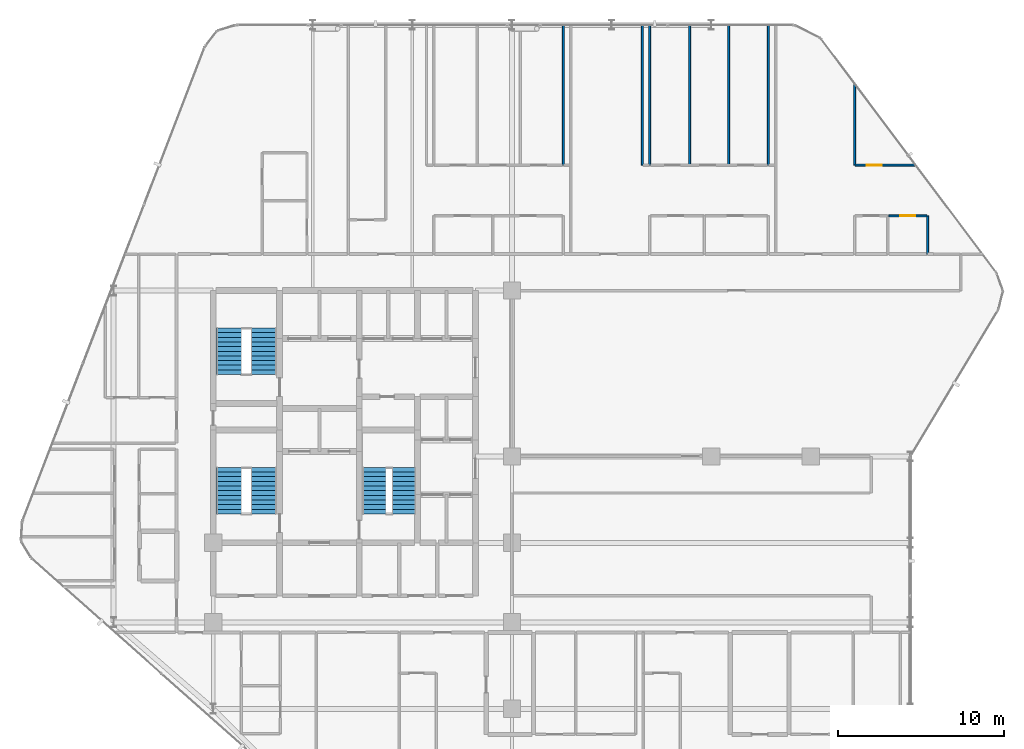
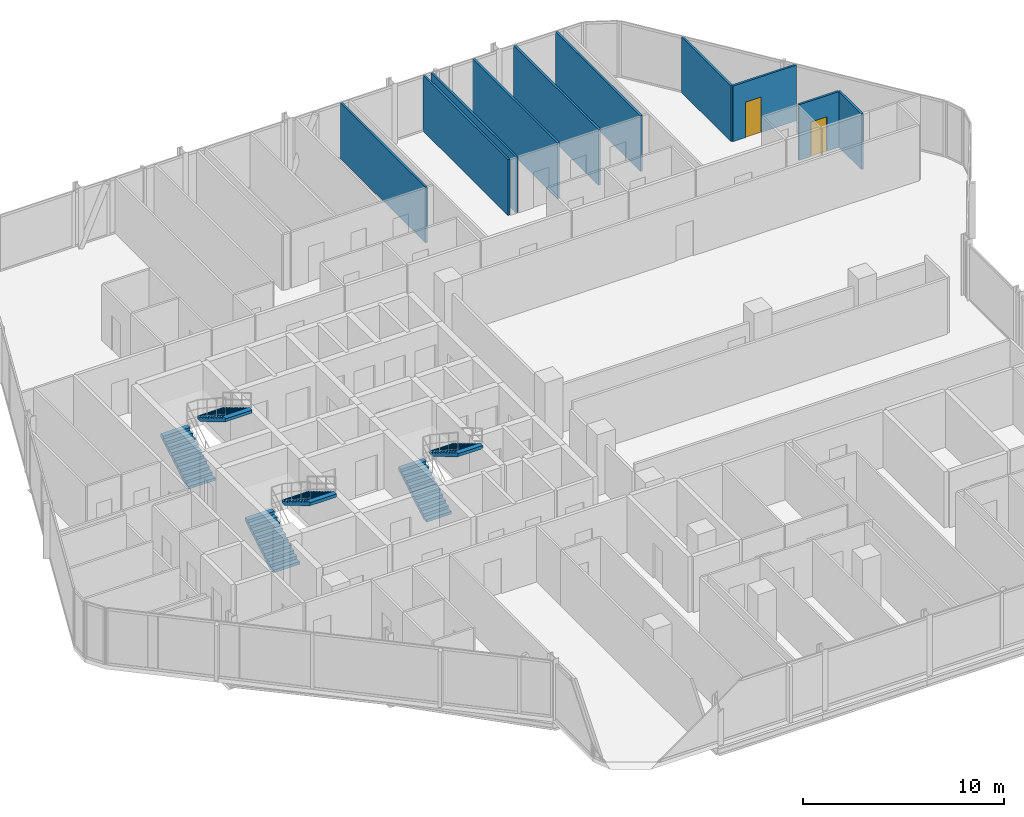
# One storey, part 29 of 30: 10 walls, 6 stair flights, 2 doors, 2 openings, 3 elements without a shape of their own.
"""IFC4 building model written with IfcOpenShell, lengths in metres."""

from ifc_helpers import new_model, si_unit, direction, frame, frame_2d, origin, place, context, subcontext, project, spatial, polyline, rectangle, outline, extrude, material, layer, layer_set, type_object, element, fill, aggregate, save


model = new_model("IFC4")

# Units and contexts
model_context = context("Model", 3, precision=1e-05, world=origin(), true_north=direction((0.0, 1.0)))
body_context = subcontext(model_context, "Body", "Model", "MODEL_VIEW")
ifc_project = project(units=[si_unit("LENGTHUNIT", "METRE"), si_unit("AREAUNIT", "SQUARE_METRE"), si_unit("VOLUMEUNIT", "CUBIC_METRE"), si_unit("PLANEANGLEUNIT", "RADIAN"), si_unit("MASSUNIT", "GRAM", prefix="KILO")], contexts=[model_context])

# Site, building, storey
site_placement = place(None, origin())
site = spatial("IfcSite", under=ifc_project, at=site_placement, CompositionType="ELEMENT")
building_placement = place(site_placement, origin())
building = spatial("IfcBuilding", under=site, at=building_placement, Name="Keshet Zoharim Tower", CompositionType="ELEMENT")
storey_placement = place(building_placement, frame((0.0, 0.0, 109.39990234375)))
storey = spatial("IfcBuildingStorey", under=building, at=storey_placement, Name="L26", CompositionType="ELEMENT", Elevation=109.39990234375)

# Walls
ifc_material_1 = material(Name="Gypsum Plasterboard", Category="gypsum")
ifc_layer_1 = layer(ifc_material_1, 0.1201171875)
ifc_layer_set_1 = layer_set([ifc_layer_1], Name="Gypsum Plasterboard")
wall_type_1 = type_object("IfcWallType", Name="WL-PART-120", PredefinedType="PARTITIONING", material=ifc_layer_set_1)
for number, where, z_axis, x_axis, name in (
    (1, (36.10009765625, 45.449951171875, 0.0), (0.0, 0.0, 1.0), (0.0, 1.0, 0.0), "L26 Interior Wall 077"),
    (2, (40.85009765625, 45.449951171875, 0.0), (0.0, 0.0, 1.0), (0.0, 1.0, 0.0), "L26 Interior Wall 083"),
    (3, (41.300048828125, 45.449951171875, 0.0), (0.0, 0.0, 1.0), (0.0, 1.0, 0.0), "L26 Interior Wall 088"),
    (4, (43.699951171875, 45.449951171875, 0.0), (0.0, 0.0, 1.0), (0.0, 1.0, 0.0), "L26 Interior Wall 090"),
    (5, (46.050048828125, 45.449951171875, 0.0), (0.0, 0.0, 1.0), (0.0, 1.0, 0.0), "L26 Interior Wall 093"),
    (6, (48.449951171875, 45.449951171875, 0.0), (0.0, 0.0, 1.0), (0.0, 1.0, 0.0), "L26 Interior Wall 097"),
):
    element("IfcWall", number, at=place(storey_placement, frame(where, z_axis=z_axis, x_axis=x_axis)), inside=storey, type_object=wall_type_1, Name=name, PredefinedType="PARTITIONING", context=body_context, shape_type="SweptSolid", body=[
        extrude(rectangle(XDim=8.43994140625, YDim=0.1201171875, at=frame_2d((4.219970703125, 0.0))), origin(), (0.0, 0.0, 1.0), 3.385009765625),
    ])
wall_1_placement = place(storey_placement, frame((53.64990234375, 45.449951171875, 0.0), z_axis=(0.0, 0.0, 1.0), x_axis=(0.0, 1.0, 0.0)))
element("IfcWall", 7, at=wall_1_placement, inside=storey, type_object=wall_type_1, Name="L26 Interior Wall 104", PredefinedType="PARTITIONING", context=body_context, shape_type="SweptSolid", body=[
    extrude(rectangle(XDim=4.906982421875, YDim=0.1201171875, at=frame_2d((2.45361328125, 0.0))), origin(), (0.0, 0.0, 1.0), 3.385009765625),
])

# Wall, opening, door
wall_2_placement = place(storey_placement, frame((53.675048828125, 45.449951171875, 0.0), z_axis=(0.0, 0.0, 1.0), x_axis=(1.0, 0.0, 0.0)))
wall_2 = element("IfcWall", 8, at=wall_2_placement, inside=storey, type_object=wall_type_1, Name="L26 Interior Wall 211", PredefinedType="PARTITIONING", context=body_context, shape_type="SweptSolid", body=[
    extrude(rectangle(XDim=3.65283203125, YDim=0.1201171875, at=frame_2d((1.826416015625, 0.0))), origin(), (0.0, 0.0, 1.0), 3.385009765625),
])
opening_1_placement = place(wall_2_placement, frame((0.715087890625, 0.0, 0.0)))
opening_1 = element("IfcOpeningElement", 9, at=opening_1_placement, cuts=wall_2, Name="Opening D-IN90", PredefinedType="OPENING", context=body_context, shape_type="SweptSolid", body=[
    extrude(rectangle(XDim=0.89990234375, YDim=2.14990234375, at=frame_2d((0.449951171875, 1.074951171875))), frame((0.0, 0.070068359375, 0.0), z_axis=(0.0, -1.0, 0.0), x_axis=(1.0, 0.0, 0.0)), (0.0, 0.0, 1.0), 0.14013671875),
])
ifc_material_2 = material(Name="Hardwood Timber", Category="wood")
door_type_1 = type_object("IfcDoorType", Name="DR-INT-090", OperationType="NOTDEFINED", PredefinedType="DOOR", material=ifc_material_2)
door_1_placement = place(opening_1_placement, origin())
door_1 = element("IfcDoor", 10, at=door_1_placement, inside=storey, type_object=door_type_1, Name="Apartment 2607 Bedroom 1 Door", OperationType="SINGLE_SWING_RIGHT", OverallHeight=2.14990234375, OverallWidth=0.89990234375, PredefinedType="DOOR", context=body_context, shape_type="SweptSolid", body=[
    extrude(rectangle(XDim=0.89990234375, YDim=2.14990234375, at=frame_2d((0.449951171875, 1.074951171875))), frame((0.0, 0.02490234375, 0.0), z_axis=(0.0, -1.0, 0.0), x_axis=(1.0, 0.0, 0.0)), (0.0, 0.0, 1.0), 0.050048828125),
])
fill(opening_1, door_1)

# Wall
ifc_layer_2 = layer(ifc_material_1, 0.1201171875)
ifc_layer_set_2 = layer_set([ifc_layer_2], Name="Gypsum Plasterboard")
wall_type_2 = type_object("IfcWallType", Name="WL-WET-120", PredefinedType="PARTITIONING", material=ifc_layer_set_2)
wall_3_placement = place(storey_placement, frame((58.050048828125, 40.10009765625, 0.0), z_axis=(0.0, 0.0, 1.0), x_axis=(0.0, 1.0, 0.0)))
element("IfcWall", 11, at=wall_3_placement, inside=storey, type_object=wall_type_2, Name="L26 Interior Wall 110", PredefinedType="PARTITIONING", context=body_context, shape_type="SweptSolid", body=[
    extrude(rectangle(XDim=2.2998046875, YDim=0.1201171875, at=frame_2d((1.14990234375, 0.0))), origin(), (0.0, 0.0, 1.0), 3.385009765625),
])

# Wall, opening, door
wall_4_placement = place(storey_placement, frame((55.702880859375, 42.39990234375, 0.0), z_axis=(0.0, 0.0, 1.0), x_axis=(1.0, 0.0, 0.0)))
wall_4 = element("IfcWall", 12, at=wall_4_placement, inside=storey, type_object=wall_type_2, Name="L26 Interior Wall 203", PredefinedType="PARTITIONING", context=body_context, shape_type="SweptSolid", body=[
    extrude(rectangle(XDim=2.2900390625, YDim=0.1201171875, at=frame_2d((1.14501953125, 0.0))), origin(), (0.0, 0.0, 1.0), 3.385009765625),
])
opening_2_placement = place(wall_4_placement, frame((0.695068359375, 0.0, 0.0)))
opening_2 = element("IfcOpeningElement", 13, at=opening_2_placement, cuts=wall_4, Name="Opening D-WT90", PredefinedType="OPENING", context=body_context, shape_type="SweptSolid", body=[
    extrude(rectangle(XDim=0.89990234375, YDim=2.10009765625, at=frame_2d((0.449951171875, 1.050048828125))), frame((0.0, 0.070068359375, 0.0), z_axis=(0.0, -1.0, 0.0), x_axis=(1.0, 0.0, 0.0)), (0.0, 0.0, 1.0), 0.14013671875),
])
door_type_2 = type_object("IfcDoorType", Name="DR-WET-090", OperationType="NOTDEFINED", PredefinedType="DOOR", material=ifc_material_2)
door_2_placement = place(opening_2_placement, origin())
door_2 = element("IfcDoor", 14, at=door_2_placement, inside=storey, type_object=door_type_2, Name="Apartment 2607 Bathroom Door", OperationType="SINGLE_SWING_LEFT", OverallHeight=2.10009765625, OverallWidth=0.89990234375, PredefinedType="DOOR", context=body_context, shape_type="SweptSolid", body=[
    extrude(rectangle(XDim=0.89990234375, YDim=2.10009765625, at=frame_2d((0.449951171875, 1.050048828125))), frame((0.0, 0.02490234375, 0.0), z_axis=(0.0, -1.0, 0.0), x_axis=(1.0, 0.0, 0.0)), (0.0, 0.0, 1.0), 0.050048828125),
])
fill(opening_2, door_2)

# Stair, stair flights
ifc_material_3 = material(Name="Concrete C50/60", Category="concrete")
stair_type = type_object("IfcStairType", Name="STR-EXIT-135", PredefinedType="HALF_TURN_STAIR", material=ifc_material_3)
stair_1_placement = place(storey_placement, origin())
stair_1 = element("IfcStair", 15, at=stair_1_placement, inside=storey, type_object=stair_type, Name="L26 Enclosed Exit Stair ST-01", PredefinedType="HALF_TURN_STAIR")
stair_flight_type_1 = type_object("IfcStairFlightType", Name="FLT-PRE-135", PredefinedType="STRAIGHT", material=ifc_material_3)
stair_flight_1_placement = place(storey_placement, frame((15.945068359375, 24.43994140625, 0.0), z_axis=(0.0, 0.0, 1.0), x_axis=(0.0, 1.0, 0.0)))
stair_flight_1 = element("IfcStairFlight", 16, at=stair_flight_1_placement, type_object=stair_flight_type_1, Name="ST-01 flight 1", NumberOfRisers=11, NumberOfTreads=10, PredefinedType="STRAIGHT", RiserHeight=0.168182, TreadLength=0.28, context=body_context, shape_type="SweptSolid", body=[
    extrude(outline(polyline([(0.0, 0.0), (0.0, 0.168212890625), (0.280029296875, 0.168212890625), (0.280029296875, 0.33642578125), (0.56005859375, 0.33642578125), (0.56005859375, 0.504638671875), (0.840087890625, 0.504638671875), (0.840087890625, 0.672607421875), (1.1201171875, 0.672607421875), (1.1201171875, 0.8408203125), (1.39990234375, 0.8408203125), (1.39990234375, 1.009033203125), (1.679931640625, 1.009033203125), (1.679931640625, 1.17724609375), (1.9599609375, 1.17724609375), (1.9599609375, 1.345458984375), (2.239990234375, 1.345458984375), (2.239990234375, 1.513671875), (2.52001953125, 1.513671875), (2.52001953125, 1.681884765625), (2.800048828125, 1.681884765625), (2.800048828125, 1.85009765625), (2.800048828125, 1.495361328125), (0.310546875, 0.0), (0.0, 0.0)])), frame((0.0, 0.76513671875, 0.0), z_axis=(0.0, -1.0, 0.0), x_axis=(1.0, 0.0, 0.0)), (0.0, 0.0, 1.0), 1.530029296875),
])
stair_flight_2_placement = place(storey_placement, frame((18.054931640625, 27.239990234375, 1.85009765625), z_axis=(0.0, 0.0, 1.0), x_axis=(0.0, -1.0, 0.0)))
stair_flight_2 = element("IfcStairFlight", 17, at=stair_flight_2_placement, type_object=stair_flight_type_1, Name="ST-01 flight 2", NumberOfRisers=11, NumberOfTreads=10, PredefinedType="STRAIGHT", RiserHeight=0.168182, TreadLength=0.28, context=body_context, shape_type="SweptSolid", body=[
    extrude(outline(polyline([(0.0, 0.0), (0.0, 0.168212890625), (0.280029296875, 0.168212890625), (0.280029296875, 0.33642578125), (0.56005859375, 0.33642578125), (0.56005859375, 0.504638671875), (0.840087890625, 0.504638671875), (0.840087890625, 0.672607421875), (1.1201171875, 0.672607421875), (1.1201171875, 0.8408203125), (1.39990234375, 0.8408203125), (1.39990234375, 1.009033203125), (1.679931640625, 1.009033203125), (1.679931640625, 1.17724609375), (1.9599609375, 1.17724609375), (1.9599609375, 1.345458984375), (2.239990234375, 1.345458984375), (2.239990234375, 1.513671875), (2.52001953125, 1.513671875), (2.52001953125, 1.681884765625), (2.800048828125, 1.681884765625), (2.800048828125, 1.85009765625), (2.800048828125, 1.495361328125), (0.310546875, 0.0), (0.0, 0.0)])), frame((0.0, 0.76513671875, 0.0), z_axis=(0.0, -1.0, 0.0), x_axis=(1.0, 0.0, 0.0)), (0.0, 0.0, 1.0), 1.530029296875),
])
aggregate(stair_1, [stair_flight_1, stair_flight_2])

stair_2_placement = place(storey_placement, origin())
stair_2 = element("IfcStair", 18, at=stair_2_placement, inside=storey, type_object=stair_type, Name="L26 Enclosed Exit Stair ST-02", PredefinedType="HALF_TURN_STAIR")
stair_flight_3_placement = place(storey_placement, frame((15.945068359375, 32.840087890625, 0.0), z_axis=(0.0, 0.0, 1.0), x_axis=(0.0, 1.0, 0.0)))
stair_flight_3 = element("IfcStairFlight", 19, at=stair_flight_3_placement, type_object=stair_flight_type_1, Name="ST-02 flight 1", NumberOfRisers=11, NumberOfTreads=10, PredefinedType="STRAIGHT", RiserHeight=0.168182, TreadLength=0.28, context=body_context, shape_type="SweptSolid", body=[
    extrude(outline(polyline([(0.0, 0.0), (0.0, 0.168212890625), (0.280029296875, 0.168212890625), (0.280029296875, 0.33642578125), (0.56005859375, 0.33642578125), (0.56005859375, 0.504638671875), (0.840087890625, 0.504638671875), (0.840087890625, 0.672607421875), (1.1201171875, 0.672607421875), (1.1201171875, 0.8408203125), (1.39990234375, 0.8408203125), (1.39990234375, 1.009033203125), (1.679931640625, 1.009033203125), (1.679931640625, 1.17724609375), (1.9599609375, 1.17724609375), (1.9599609375, 1.345458984375), (2.239990234375, 1.345458984375), (2.239990234375, 1.513671875), (2.52001953125, 1.513671875), (2.52001953125, 1.681884765625), (2.800048828125, 1.681884765625), (2.800048828125, 1.85009765625), (2.800048828125, 1.495361328125), (0.310546875, 0.0), (0.0, 0.0)])), frame((0.0, 0.76513671875, 0.0), z_axis=(0.0, -1.0, 0.0), x_axis=(1.0, 0.0, 0.0)), (0.0, 0.0, 1.0), 1.530029296875),
])
stair_flight_4_placement = place(storey_placement, frame((18.054931640625, 35.639892578125, 1.85009765625), z_axis=(0.0, 0.0, 1.0), x_axis=(0.0, -1.0, 0.0)))
stair_flight_4 = element("IfcStairFlight", 20, at=stair_flight_4_placement, type_object=stair_flight_type_1, Name="ST-02 flight 2", NumberOfRisers=11, NumberOfTreads=10, PredefinedType="STRAIGHT", RiserHeight=0.168182, TreadLength=0.28, context=body_context, shape_type="SweptSolid", body=[
    extrude(outline(polyline([(0.0, 0.0), (0.0, 0.168212890625), (0.280029296875, 0.168212890625), (0.280029296875, 0.33642578125), (0.56005859375, 0.33642578125), (0.56005859375, 0.504638671875), (0.840087890625, 0.504638671875), (0.840087890625, 0.672607421875), (1.1201171875, 0.672607421875), (1.1201171875, 0.8408203125), (1.39990234375, 0.8408203125), (1.39990234375, 1.009033203125), (1.679931640625, 1.009033203125), (1.679931640625, 1.17724609375), (1.9599609375, 1.17724609375), (1.9599609375, 1.345458984375), (2.239990234375, 1.345458984375), (2.239990234375, 1.513671875), (2.52001953125, 1.513671875), (2.52001953125, 1.681884765625), (2.800048828125, 1.681884765625), (2.800048828125, 1.85009765625), (2.800048828125, 1.495361328125), (0.310546875, 0.0), (0.0, 0.0)])), frame((0.0, 0.76513671875, 0.0), z_axis=(0.0, -1.0, 0.0), x_axis=(1.0, 0.0, 0.0)), (0.0, 0.0, 1.0), 1.530029296875),
])
aggregate(stair_2, [stair_flight_3, stair_flight_4])

stair_3_placement = place(storey_placement, origin())
stair_3 = element("IfcStair", 21, at=stair_3_placement, inside=storey, type_object=stair_type, Name="L26 Enclosed Exit Stair ST-03", PredefinedType="HALF_TURN_STAIR")
stair_flight_type_2 = type_object("IfcStairFlightType", Name="FLT-PRE-144", PredefinedType="STRAIGHT", material=ifc_material_3)
stair_flight_5_placement = place(storey_placement, frame((24.699951171875, 24.43994140625, 0.0), z_axis=(0.0, 0.0, 1.0), x_axis=(0.0, 1.0, 0.0)))
stair_flight_5 = element("IfcStairFlight", 22, at=stair_flight_5_placement, type_object=stair_flight_type_2, Name="ST-03 flight 1", NumberOfRisers=11, NumberOfTreads=10, PredefinedType="STRAIGHT", RiserHeight=0.168182, TreadLength=0.28, context=body_context, shape_type="SweptSolid", body=[
    extrude(outline(polyline([(0.0, 0.0), (0.0, 0.168212890625), (0.280029296875, 0.168212890625), (0.280029296875, 0.33642578125), (0.56005859375, 0.33642578125), (0.56005859375, 0.504638671875), (0.840087890625, 0.504638671875), (0.840087890625, 0.672607421875), (1.1201171875, 0.672607421875), (1.1201171875, 0.8408203125), (1.39990234375, 0.8408203125), (1.39990234375, 1.009033203125), (1.679931640625, 1.009033203125), (1.679931640625, 1.17724609375), (1.9599609375, 1.17724609375), (1.9599609375, 1.345458984375), (2.239990234375, 1.345458984375), (2.239990234375, 1.513671875), (2.52001953125, 1.513671875), (2.52001953125, 1.681884765625), (2.800048828125, 1.681884765625), (2.800048828125, 1.85009765625), (2.800048828125, 1.495361328125), (0.310546875, 0.0), (0.0, 0.0)])), frame((0.0, 0.719970703125, 0.0), z_axis=(0.0, -1.0, 0.0), x_axis=(1.0, 0.0, 0.0)), (0.0, 0.0, 1.0), 1.43994140625),
])
stair_flight_6_placement = place(storey_placement, frame((26.5, 27.239990234375, 1.85009765625), z_axis=(0.0, 0.0, 1.0), x_axis=(0.0, -1.0, 0.0)))
stair_flight_6 = element("IfcStairFlight", 23, at=stair_flight_6_placement, type_object=stair_flight_type_2, Name="ST-03 flight 2", NumberOfRisers=11, NumberOfTreads=10, PredefinedType="STRAIGHT", RiserHeight=0.168182, TreadLength=0.28, context=body_context, shape_type="SweptSolid", body=[
    extrude(outline(polyline([(0.0, 0.0), (0.0, 0.168212890625), (0.280029296875, 0.168212890625), (0.280029296875, 0.33642578125), (0.56005859375, 0.33642578125), (0.56005859375, 0.504638671875), (0.840087890625, 0.504638671875), (0.840087890625, 0.672607421875), (1.1201171875, 0.672607421875), (1.1201171875, 0.8408203125), (1.39990234375, 0.8408203125), (1.39990234375, 1.009033203125), (1.679931640625, 1.009033203125), (1.679931640625, 1.17724609375), (1.9599609375, 1.17724609375), (1.9599609375, 1.345458984375), (2.239990234375, 1.345458984375), (2.239990234375, 1.513671875), (2.52001953125, 1.513671875), (2.52001953125, 1.681884765625), (2.800048828125, 1.681884765625), (2.800048828125, 1.85009765625), (2.800048828125, 1.495361328125), (0.310546875, 0.0), (0.0, 0.0)])), frame((0.0, 0.719970703125, 0.0), z_axis=(0.0, -1.0, 0.0), x_axis=(1.0, 0.0, 0.0)), (0.0, 0.0, 1.0), 1.43994140625),
])
aggregate(stair_3, [stair_flight_5, stair_flight_6])

save(model, "model.ifc")
